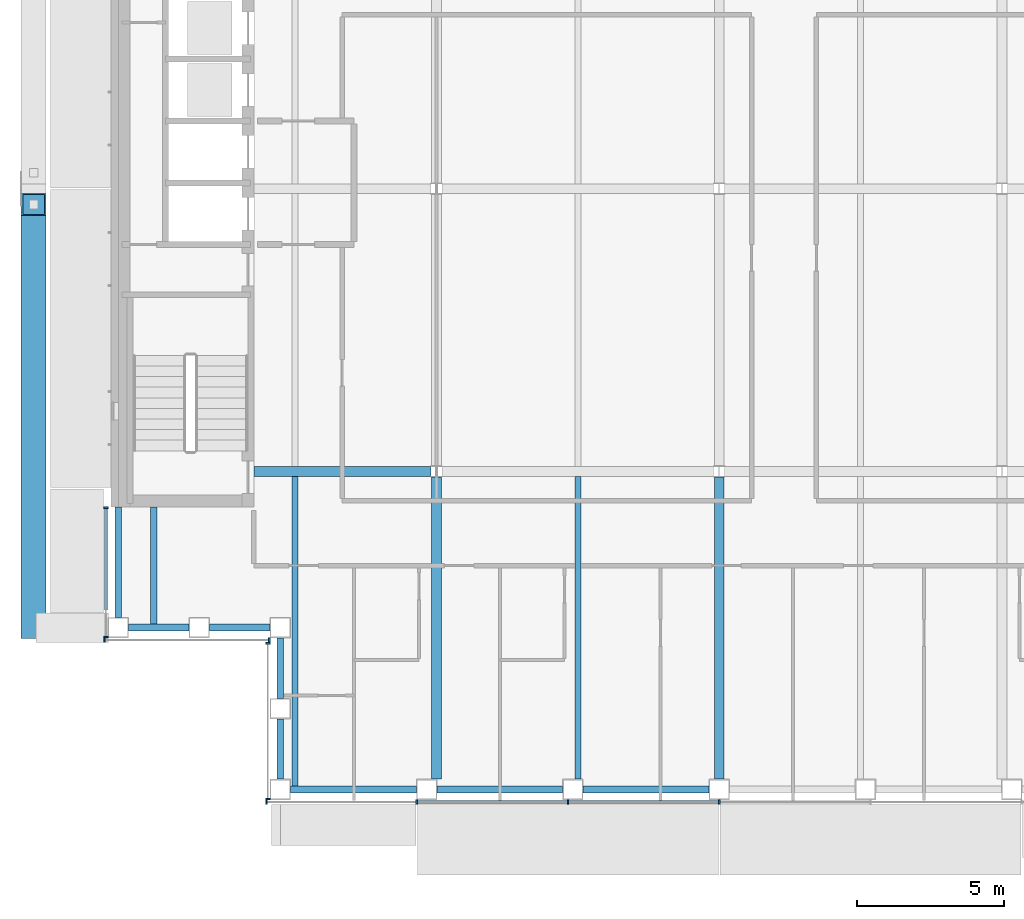
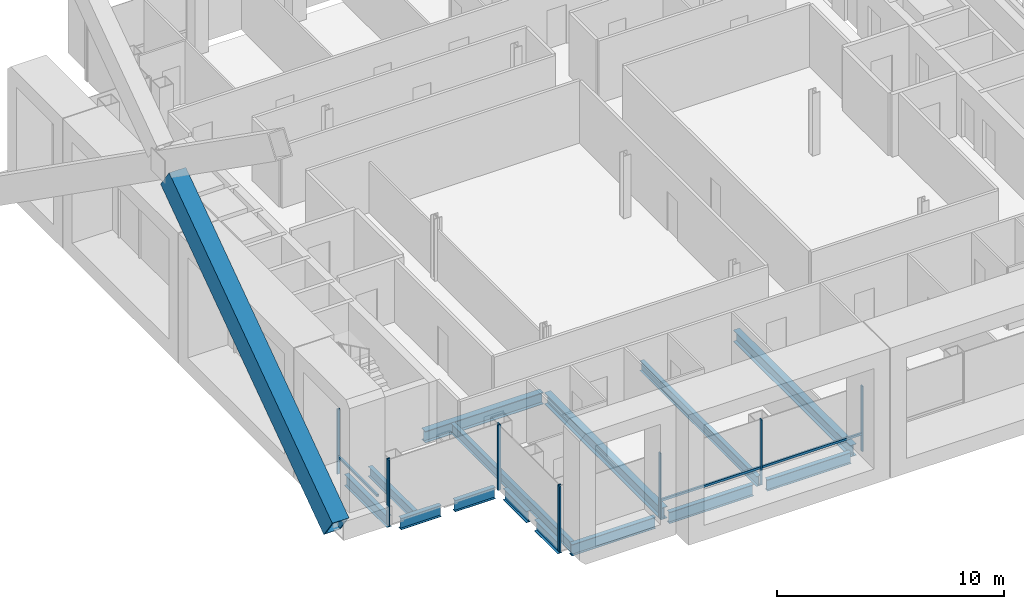
# One storey, part 3 of 21: 14 beams, 14 members, 4 elements without a shape of their own.
"""IFC4 building model written with IfcOpenShell, lengths in metres."""

from ifc_helpers import new_model, si_unit, direction, frame, origin, origin_2d, place, context, subcontext, project, spatial, rectangle, hollow_rectangle, i_section, extrude, material, material_profile, profile_set, type_object, element, aggregate, save


model = new_model("IFC4")

# Units and contexts
model_context = context("Model", 3, precision=1e-05, world=origin(), true_north=direction((0.0, 1.0)))
body_context = subcontext(model_context, "Body", "Model", "MODEL_VIEW")
ifc_project = project(units=[si_unit("LENGTHUNIT", "METRE"), si_unit("AREAUNIT", "SQUARE_METRE"), si_unit("VOLUMEUNIT", "CUBIC_METRE"), si_unit("PLANEANGLEUNIT", "RADIAN"), si_unit("MASSUNIT", "GRAM", prefix="KILO")], contexts=[model_context])

# Site, building, storey
site_placement = place(None, origin())
site = spatial("IfcSite", under=ifc_project, at=site_placement, CompositionType="ELEMENT")
building_placement = place(site_placement, origin())
building = spatial("IfcBuilding", under=site, at=building_placement, Name="Cobrizo Arcos Hotel Tower", CompositionType="ELEMENT")
storey_placement = place(building_placement, frame((0.0, 0.0, 212.0)))
storey = spatial("IfcBuildingStorey", under=building, at=storey_placement, Name="L55", CompositionType="ELEMENT", Elevation=212.0)

# Member
ifc_material_1 = material(Name="Steel ASTM A572 Grade 50", Category="steel")
ifc_material_profile_1 = material_profile(ifc_material_1, hollow_rectangle(XDim=0.85009765625, YDim=1.300048828125, WallThickness=0.06005859375, at=origin_2d()), Name="BOX 850X1300X60")
ifc_profile_set_1 = profile_set([ifc_material_profile_1], Name="Steel ASTM A572 Grade 50")
member_type_1 = type_object("IfcMemberType", Name="BOX 850X1300X60 perimeter brace", PredefinedType="BRACE", material=ifc_profile_set_1)
member_1_placement = place(storey_placement, frame((-23.27490234375, -14.89990234375, 0.5), z_axis=(0.0, 0.817421308529, 0.576040280157), x_axis=(-1.0, 0.0, 0.0)))
element("IfcMember", 1, at=member_1_placement, inside=storey, type_object=member_type_1, Name="Perimeter brace PBR4, zone Z4, west face, no. 03", PredefinedType="BRACE", context=body_context, shape_type="SweptSolid", body=[
    extrude(hollow_rectangle(XDim=0.85009765625, YDim=1.300048828125, WallThickness=0.06005859375, at=origin_2d()), origin(), (0.0, 0.0, 1.0), 17.567626953125),
])

# Curtain wall, members
ifc_material_2 = material(Name="Aluminium 6063-T6 anodised bronze", Category="aluminium")
curtain_wall_type = type_object("IfcCurtainWallType", Name="CW-A guest facade", PredefinedType="NOTDEFINED", material=ifc_material_2)
curtain_wall_1_placement = place(storey_placement, origin())
curtain_wall_1 = element("IfcCurtainWall", 2, at=curtain_wall_1_placement, inside=storey, type_object=curtain_wall_type, Name="CW-A L55 S face", PredefinedType="NOTDEFINED")
ifc_material_profile_2 = material_profile(ifc_material_2, rectangle(XDim=0.14990234375, YDim=0.06005859375, at=origin_2d()), Name="CW-A mullion 150x60")
ifc_profile_set_2 = profile_set([ifc_material_profile_2], Name="Aluminium 6063-T6 anodised bronze")
member_type_2 = type_object("IfcMemberType", Name="CW-A mullion 150x60", PredefinedType="MULLION", material=ifc_profile_set_2)
member_2_placement = place(storey_placement, frame((-15.3701171875, -20.824951171875, 0.0), z_axis=(0.0, 0.0, 1.0), x_axis=(0.0, -1.0, 0.0)))
member_2 = element("IfcMember", 3, at=member_2_placement, type_object=member_type_2, Name="CW-A mullion 1", PredefinedType="MULLION", context=body_context, shape_type="SweptSolid", body=[
    extrude(rectangle(XDim=0.14990234375, YDim=0.06005859375, at=origin_2d()), origin(), (0.0, 0.0, 1.0), 3.5),
])
member_3_placement = place(storey_placement, frame((-10.2666015625, -20.824951171875, 0.0), z_axis=(0.0, 0.0, 1.0), x_axis=(0.0, -1.0, 0.0)))
member_3 = element("IfcMember", 4, at=member_3_placement, type_object=member_type_2, Name="CW-A mullion 2", PredefinedType="MULLION", context=body_context, shape_type="SweptSolid", body=[
    extrude(rectangle(XDim=0.14990234375, YDim=0.06005859375, at=origin_2d()), origin(), (0.0, 0.0, 1.0), 3.5),
])
member_4_placement = place(storey_placement, frame((-5.13330078125, -20.824951171875, 0.0), z_axis=(0.0, 0.0, 1.0), x_axis=(0.0, -1.0, 0.0)))
member_4 = element("IfcMember", 5, at=member_4_placement, type_object=member_type_2, Name="CW-A mullion 3", PredefinedType="MULLION", context=body_context, shape_type="SweptSolid", body=[
    extrude(rectangle(XDim=0.14990234375, YDim=0.06005859375, at=origin_2d()), origin(), (0.0, 0.0, 1.0), 3.5),
])
member_5_placement = place(storey_placement, frame((0.0, -20.824951171875, 0.0), z_axis=(0.0, 0.0, 1.0), x_axis=(0.0, -1.0, 0.0)))
member_5 = element("IfcMember", 6, at=member_5_placement, type_object=member_type_2, Name="CW-A mullion 4", PredefinedType="MULLION", context=body_context, shape_type="SweptSolid", body=[
    extrude(rectangle(XDim=0.14990234375, YDim=0.06005859375, at=origin_2d()), origin(), (0.0, 0.0, 1.0), 3.5),
])

curtain_wall_2_placement = place(storey_placement, origin())
curtain_wall_2 = element("IfcCurtainWall", 7, at=curtain_wall_2_placement, inside=storey, type_object=curtain_wall_type, Name="CW-A L55 W face", PredefinedType="NOTDEFINED")
member_6_placement = place(storey_placement, frame((-20.824951171875, -10.830078125, 0.0), z_axis=(0.0, 0.0, 1.0), x_axis=(-1.0, 0.0, 0.0)))
member_6 = element("IfcMember", 8, at=member_6_placement, type_object=member_type_2, Name="CW-A mullion 1", PredefinedType="MULLION", context=body_context, shape_type="SweptSolid", body=[
    extrude(rectangle(XDim=0.14990234375, YDim=0.06005859375, at=origin_2d()), origin(), (0.0, 0.0, 1.0), 3.5),
])
member_7_placement = place(storey_placement, frame((-20.824951171875, -15.219970703125, 0.0), z_axis=(0.0, 0.0, 1.0), x_axis=(-1.0, 0.0, 0.0)))
member_7 = element("IfcMember", 9, at=member_7_placement, type_object=member_type_2, Name="CW-A mullion 2", PredefinedType="MULLION", context=body_context, shape_type="SweptSolid", body=[
    extrude(rectangle(XDim=0.14990234375, YDim=0.06005859375, at=origin_2d()), origin(), (0.0, 0.0, 1.0), 3.5),
])

curtain_wall_3_placement = place(storey_placement, origin())
curtain_wall_3 = element("IfcCurtainWall", 10, at=curtain_wall_3_placement, inside=storey, type_object=curtain_wall_type, Name="CW-A L55 S face", PredefinedType="NOTDEFINED")
member_8_placement = place(storey_placement, frame((-20.8701171875, -15.324951171875, 0.0), z_axis=(0.0, 0.0, 1.0), x_axis=(0.0, -1.0, 0.0)))
member_8 = element("IfcMember", 11, at=member_8_placement, type_object=member_type_2, Name="CW-A mullion 1", PredefinedType="MULLION", context=body_context, shape_type="SweptSolid", body=[
    extrude(rectangle(XDim=0.14990234375, YDim=0.06005859375, at=origin_2d()), origin(), (0.0, 0.0, 1.0), 3.5),
])
member_9_placement = place(storey_placement, frame((-15.280029296875, -15.324951171875, 0.0), z_axis=(0.0, 0.0, 1.0), x_axis=(0.0, -1.0, 0.0)))
member_9 = element("IfcMember", 12, at=member_9_placement, type_object=member_type_2, Name="CW-A mullion 2", PredefinedType="MULLION", context=body_context, shape_type="SweptSolid", body=[
    extrude(rectangle(XDim=0.14990234375, YDim=0.06005859375, at=origin_2d()), origin(), (0.0, 0.0, 1.0), 3.5),
])
aggregate(curtain_wall_3, [member_8, member_9])

curtain_wall_4_placement = place(storey_placement, origin())
curtain_wall_4 = element("IfcCurtainWall", 13, at=curtain_wall_4_placement, inside=storey, type_object=curtain_wall_type, Name="CW-A L55 W face", PredefinedType="NOTDEFINED")
member_10_placement = place(storey_placement, frame((-15.324951171875, -15.429931640625, 0.0), z_axis=(0.0, 0.0, 1.0), x_axis=(-1.0, 0.0, 0.0)))
member_10 = element("IfcMember", 14, at=member_10_placement, type_object=member_type_2, Name="CW-A mullion 1", PredefinedType="MULLION", context=body_context, shape_type="SweptSolid", body=[
    extrude(rectangle(XDim=0.14990234375, YDim=0.06005859375, at=origin_2d()), origin(), (0.0, 0.0, 1.0), 3.5),
])
member_11_placement = place(storey_placement, frame((-15.324951171875, -20.719970703125, 0.0), z_axis=(0.0, 0.0, 1.0), x_axis=(-1.0, 0.0, 0.0)))
member_11 = element("IfcMember", 15, at=member_11_placement, type_object=member_type_2, Name="CW-A mullion 2", PredefinedType="MULLION", context=body_context, shape_type="SweptSolid", body=[
    extrude(rectangle(XDim=0.14990234375, YDim=0.06005859375, at=origin_2d()), origin(), (0.0, 0.0, 1.0), 3.5),
])
aggregate(curtain_wall_4, [member_10, member_11])

# Member
ifc_material_profile_3 = material_profile(ifc_material_2, rectangle(XDim=0.10009765625, YDim=0.1201171875, at=origin_2d()), Name="CW-A transom 120x100")
ifc_profile_set_3 = profile_set([ifc_material_profile_3], Name="Aluminium 6063-T6 anodised bronze")
member_type_3 = type_object("IfcMemberType", Name="CW-A transom 120x100", PredefinedType="USERDEFINED", material=ifc_profile_set_3)
member_12_placement = place(storey_placement, frame((-10.236572265625, -20.824951171875, 0.929931640625), z_axis=(1.0, 0.0, 0.0), x_axis=(0.0, 1.0, 0.0)))
member_12 = element("IfcMember", 16, at=member_12_placement, type_object=member_type_3, Name="CW-A transom 1841", ObjectType="TRANSOM", PredefinedType="USERDEFINED", context=body_context, shape_type="SweptSolid", body=[
    extrude(rectangle(XDim=0.10009765625, YDim=0.1201171875, at=origin_2d()), origin(), (0.0, 0.0, 1.0), 5.0732421875),
])

member_13_placement = place(storey_placement, frame((-5.103271484375, -20.824951171875, 0.929931640625), z_axis=(1.0, 0.0, 0.0), x_axis=(0.0, 1.0, 0.0)))
member_13 = element("IfcMember", 17, at=member_13_placement, type_object=member_type_3, Name="CW-A transom 1842", ObjectType="TRANSOM", PredefinedType="USERDEFINED", context=body_context, shape_type="SweptSolid", body=[
    extrude(rectangle(XDim=0.10009765625, YDim=0.1201171875, at=origin_2d()), origin(), (0.0, 0.0, 1.0), 5.0732421875),
])

aggregate(curtain_wall_1, [member_2, member_3, member_4, member_5, member_12, member_13])

member_14_placement = place(storey_placement, frame((-20.824951171875, -10.860107421875, 0.929931640625), z_axis=(0.0, -1.0, 0.0), x_axis=(1.0, 0.0, 0.0)))
member_14 = element("IfcMember", 18, at=member_14_placement, type_object=member_type_3, Name="CW-A transom 1861", ObjectType="TRANSOM", PredefinedType="USERDEFINED", context=body_context, shape_type="SweptSolid", body=[
    extrude(rectangle(XDim=0.10009765625, YDim=0.1201171875, at=origin_2d()), origin(), (0.0, 0.0, 1.0), 3.43994140625),
])

aggregate(curtain_wall_2, [member_6, member_7, member_14])

# Beams
ifc_material_3 = material(Name="Steel ASTM A992 Grade 50", Category="steel")
ifc_material_profile_4 = material_profile(ifc_material_3, i_section(OverallWidth=0.209228515625, OverallDepth=0.533447265625, WebThickness=0.01025390625, FlangeThickness=0.015625, at=origin_2d()), Name="W21X62")
ifc_profile_set_4 = profile_set([ifc_material_profile_4], Name="Steel ASTM A992 Grade 50")
beam_type_1 = type_object("IfcBeamType", Name="W21X62 joist", PredefinedType="JOIST", material=ifc_profile_set_4)
beam_1_placement = place(storey_placement, frame((-19.199951171875, -14.81005859375, -0.416748046875), z_axis=(0.0, 1.0, 0.0), x_axis=(-1.0, 0.0, 0.0)))
element("IfcBeam", 19, at=beam_1_placement, inside=storey, type_object=beam_type_1, Name="Floor joist J1, L55, no. 001", PredefinedType="JOIST", context=body_context, shape_type="SweptSolid", body=[
    extrude(i_section(OverallWidth=0.209228515625, OverallDepth=0.533447265625, WebThickness=0.01025390625, FlangeThickness=0.015625, at=origin_2d()), origin(), (0.0, 0.0, 1.0), 4.0),
])
beam_2_placement = place(storey_placement, frame((-14.39990234375, -20.31005859375, -0.416748046875), z_axis=(0.0, 1.0, 0.0), x_axis=(-1.0, 0.0, 0.0)))
element("IfcBeam", 20, at=beam_2_placement, inside=storey, type_object=beam_type_1, Name="Floor joist J1, L55, no. 003", PredefinedType="JOIST", context=body_context, shape_type="SweptSolid", body=[
    extrude(i_section(OverallWidth=0.209228515625, OverallDepth=0.533447265625, WebThickness=0.01025390625, FlangeThickness=0.015625, at=origin_2d()), origin(), (0.0, 0.0, 1.0), 10.546142578125),
])
beam_3_placement = place(storey_placement, frame((-4.800048828125, -20.050048828125, -0.416748046875), z_axis=(0.0, 1.0, 0.0), x_axis=(-1.0, 0.0, 0.0)))
element("IfcBeam", 21, at=beam_3_placement, inside=storey, type_object=beam_type_1, Name="Floor joist J1, L55, no. 007", PredefinedType="JOIST", context=body_context, shape_type="SweptSolid", body=[
    extrude(i_section(OverallWidth=0.209228515625, OverallDepth=0.533447265625, WebThickness=0.01025390625, FlangeThickness=0.015625, at=origin_2d()), origin(), (0.0, 0.0, 1.0), 10.2861328125),
])
ifc_material_profile_5 = material_profile(ifc_material_3, i_section(OverallWidth=0.32763671875, OverallDepth=0.622314453125, WebThickness=0.015380859375, FlangeThickness=0.0244140625, at=origin_2d()), Name="W24X131")
ifc_profile_set_5 = profile_set([ifc_material_profile_5], Name="Steel ASTM A992 Grade 50")
beam_type_2 = type_object("IfcBeamType", Name="W24X131 girder", PredefinedType="BEAM", material=ifc_profile_set_5)
beam_4_placement = place(storey_placement, frame((-15.7900390625, -9.60009765625, -0.461181640625), z_axis=(1.0, 0.0, 0.0), x_axis=(0.0, 1.0, 0.0)))
element("IfcBeam", 22, at=beam_4_placement, inside=storey, type_object=beam_type_2, Name="Floor girder G1, L55, no. 001", PredefinedType="BEAM", context=body_context, shape_type="SweptSolid", body=[
    extrude(i_section(OverallWidth=0.32763671875, OverallDepth=0.622314453125, WebThickness=0.015380859375, FlangeThickness=0.0244140625, at=origin_2d()), origin(), (0.0, 0.0, 1.0), 6.00341796875),
])
for number, where, z_axis, x_axis, name in (
    (23, (-9.60009765625, -20.050048828125, -0.461181640625), (0.0, 1.0, 0.0), (-1.0, 0.0, 0.0), "Floor girder G1, L55, no. 013"),
    (24, (0.0, -20.050048828125, -0.461181640625), (0.0, 1.0, 0.0), (-1.0, 0.0, 0.0), "Floor girder G1, L55, no. 017"),
):
    element("IfcBeam", number, at=place(storey_placement, frame(where, z_axis=z_axis, x_axis=x_axis)), inside=storey, type_object=beam_type_2, Name=name, PredefinedType="BEAM", context=body_context, shape_type="SweptSolid", body=[
        extrude(i_section(OverallWidth=0.32763671875, OverallDepth=0.622314453125, WebThickness=0.015380859375, FlangeThickness=0.0244140625, at=origin_2d()), origin(), (0.0, 0.0, 1.0), 10.263427734375),
    ])
ifc_material_profile_6 = material_profile(ifc_material_3, i_section(OverallWidth=0.228271484375, OverallDepth=0.607177734375, WebThickness=0.01123046875, FlangeThickness=0.017333984375, at=origin_2d()), Name="W24X76")
ifc_profile_set_6 = profile_set([ifc_material_profile_6], Name="Steel ASTM A992 Grade 50")
beam_type_3 = type_object("IfcBeamType", Name="W24X76 spandrel", PredefinedType="SPANDREL", material=ifc_profile_set_6)
beam_5_placement = place(storey_placement, frame((-14.550048828125, -20.39990234375, -0.45361328125), z_axis=(1.0, 0.0, 0.0), x_axis=(0.0, 1.0, 0.0)))
element("IfcBeam", 25, at=beam_5_placement, inside=storey, type_object=beam_type_3, Name="Spandrel beam W24X76, L55, no. 001", PredefinedType="SPANDREL", context=body_context, shape_type="SweptSolid", body=[
    extrude(i_section(OverallWidth=0.228271484375, OverallDepth=0.607177734375, WebThickness=0.01123046875, FlangeThickness=0.017333984375, at=origin_2d()), origin(), (0.0, 0.0, 1.0), 4.26708984375),
])
beam_6_placement = place(storey_placement, frame((-9.5830078125, -20.39990234375, -0.45361328125), z_axis=(1.0, 0.0, 0.0), x_axis=(0.0, 1.0, 0.0)))
element("IfcBeam", 26, at=beam_6_placement, inside=storey, type_object=beam_type_3, Name="Spandrel beam W24X76, L55, no. 002", PredefinedType="SPANDREL", context=body_context, shape_type="SweptSolid", body=[
    extrude(i_section(OverallWidth=0.228271484375, OverallDepth=0.607177734375, WebThickness=0.01123046875, FlangeThickness=0.017333984375, at=origin_2d()), origin(), (0.0, 0.0, 1.0), 4.26611328125),
])
beam_7_placement = place(storey_placement, frame((-4.616943359375, -20.39990234375, -0.45361328125), z_axis=(1.0, 0.0, 0.0), x_axis=(0.0, 1.0, 0.0)))
element("IfcBeam", 27, at=beam_7_placement, inside=storey, type_object=beam_type_3, Name="Spandrel beam W24X76, L55, no. 003", PredefinedType="SPANDREL", context=body_context, shape_type="SweptSolid", body=[
    extrude(i_section(OverallWidth=0.228271484375, OverallDepth=0.607177734375, WebThickness=0.01123046875, FlangeThickness=0.017333984375, at=origin_2d()), origin(), (0.0, 0.0, 1.0), 4.266845703125),
])
beam_8_placement = place(storey_placement, frame((-20.39990234375, -10.81005859375, -0.45361328125), z_axis=(0.0, -1.0, 0.0), x_axis=(1.0, 0.0, 0.0)))
element("IfcBeam", 28, at=beam_8_placement, inside=storey, type_object=beam_type_3, Name="Spandrel beam W24X76, L55, no. 028", PredefinedType="SPANDREL", context=body_context, shape_type="SweptSolid", body=[
    extrude(i_section(OverallWidth=0.228271484375, OverallDepth=0.607177734375, WebThickness=0.01123046875, FlangeThickness=0.017333984375, at=origin_2d()), origin(), (0.0, 0.0, 1.0), 3.739990234375),
])
for number, where, z_axis, x_axis, name in (
    (29, (-20.050048828125, -14.89990234375, -0.45361328125), (1.0, 0.0, 0.0), (0.0, 1.0, 0.0), "Spandrel beam W24X76, L55, no. 029"),
    (30, (-17.300048828125, -14.89990234375, -0.45361328125), (1.0, 0.0, 0.0), (0.0, 1.0, 0.0), "Spandrel beam W24X76, L55, no. 030"),
    (31, (-14.89990234375, -15.25, -0.45361328125), (0.0, -1.0, 0.0), (1.0, 0.0, 0.0), "Spandrel beam W24X76, L55, no. 031"),
    (32, (-14.89990234375, -18.0, -0.45361328125), (0.0, -1.0, 0.0), (1.0, 0.0, 0.0), "Spandrel beam W24X76, L55, no. 032"),
):
    element("IfcBeam", number, at=place(storey_placement, frame(where, z_axis=z_axis, x_axis=x_axis)), inside=storey, type_object=beam_type_3, Name=name, PredefinedType="SPANDREL", context=body_context, shape_type="SweptSolid", body=[
        extrude(i_section(OverallWidth=0.228271484375, OverallDepth=0.607177734375, WebThickness=0.01123046875, FlangeThickness=0.017333984375, at=origin_2d()), origin(), (0.0, 0.0, 1.0), 2.050048828125),
    ])

save(model, "model.ifc")
